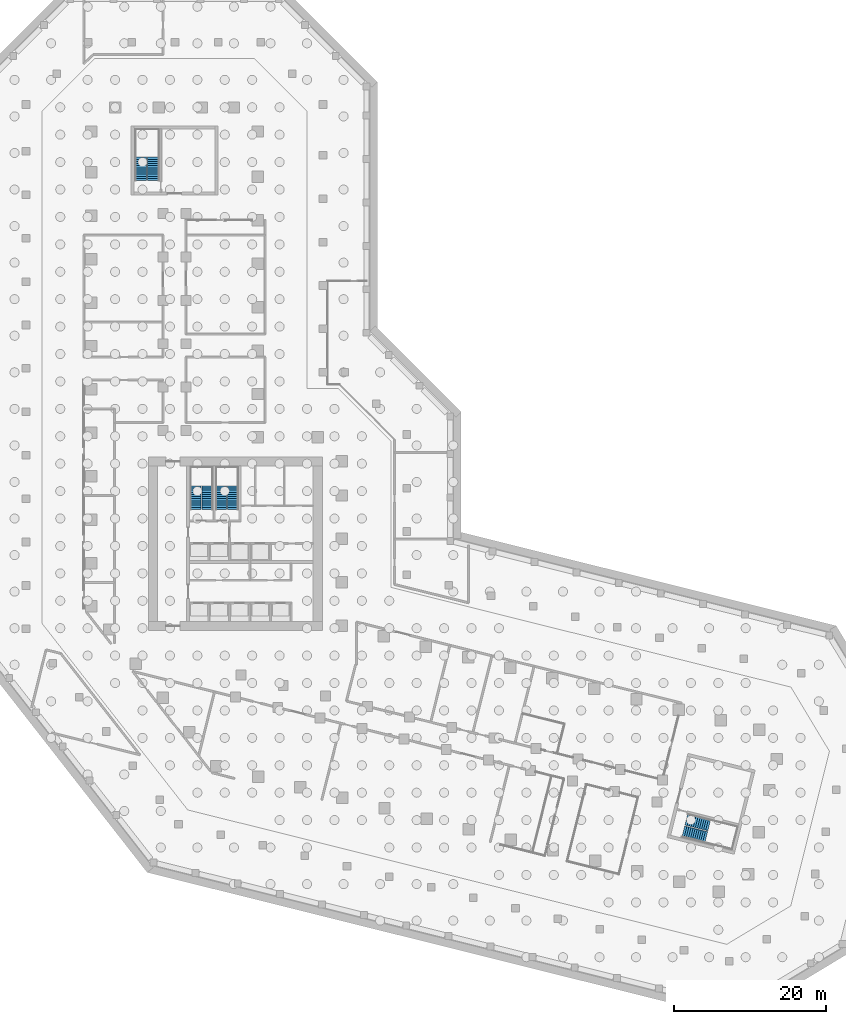
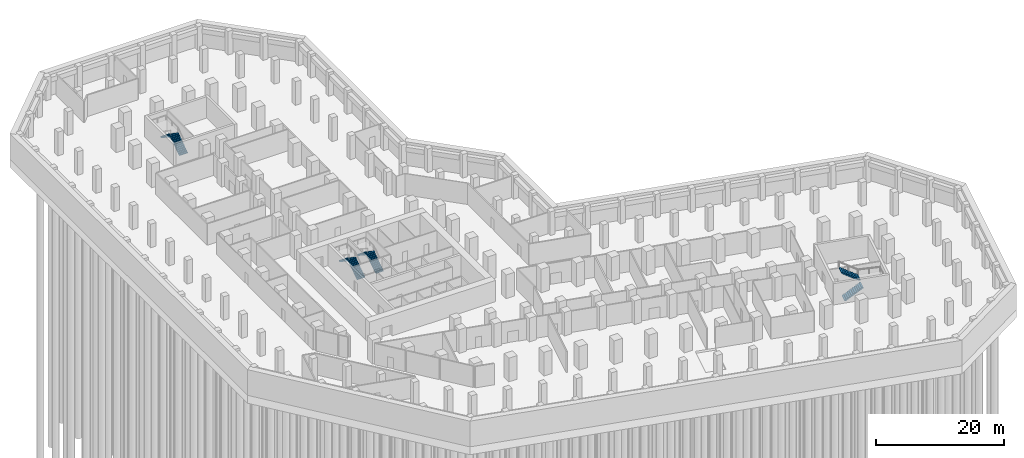
# One storey, part 13 of 15: 8 stair flights, 4 elements without a shape of their own.
"""IFC4 building model written with IfcOpenShell, lengths in metres."""

from ifc_helpers import new_model, si_unit, direction, frame, origin, place, context, subcontext, project, spatial, polyline, outline, extrude, material, type_object, element, aggregate, save


model = new_model("IFC4")

# Units and contexts
model_context = context("Model", 3, precision=1e-05, world=origin(), true_north=direction((0.0, 1.0)))
body_context = subcontext(model_context, "Body", "Model", "MODEL_VIEW")
ifc_project = project(units=[si_unit("LENGTHUNIT", "METRE"), si_unit("AREAUNIT", "SQUARE_METRE"), si_unit("VOLUMEUNIT", "CUBIC_METRE"), si_unit("PLANEANGLEUNIT", "RADIAN"), si_unit("MASSUNIT", "GRAM", prefix="KILO")], contexts=[model_context])

# Site, building, storey
site_placement = place(None, origin())
site = spatial("IfcSite", under=ifc_project, at=site_placement, CompositionType="ELEMENT")
building_placement = place(site_placement, origin())
building = spatial("IfcBuilding", under=site, at=building_placement, Name="Meshkara Civic Tower", CompositionType="ELEMENT")
storey_placement = place(building_placement, frame((0.0, 0.0, -9.0)))
storey = spatial("IfcBuildingStorey", under=building, at=storey_placement, Name="B2", CompositionType="ELEMENT", Elevation=-9.0)

# Stair, stair flights
ifc_material_1 = material(Name="Precast concrete C40/50", Category="concrete")
stair_type_1 = type_object("IfcStairType", Name="Exit stair half-turn 24 risers 1500 precast", PredefinedType="HALF_TURN_STAIR", material=ifc_material_1)
stair_1_placement = place(storey_placement, origin())
stair_1 = element("IfcStair", 1, at=stair_1_placement, inside=storey, type_object=stair_type_1, Name="B2 exit stair A from B2", PredefinedType="HALF_TURN_STAIR")
ifc_material_2 = material(Name="Precast concrete C40/50", Category="concrete")
stair_flight_type_1 = type_object("IfcStairFlightType", Name="Exit stair flight 12 risers 1500 precast", PredefinedType="STRAIGHT", material=ifc_material_2)
stair_flight_1_placement = place(storey_placement, frame((8.625, 73.169921875, 0.0), z_axis=(0.0, 0.0, 1.0), x_axis=(0.0, 1.0, 0.0)))
stair_flight_1 = element("IfcStairFlight", 2, at=stair_flight_1_placement, type_object=stair_flight_type_1, Name="ESA1 flight 1", NumberOfRisers=12, NumberOfTreads=11, PredefinedType="STRAIGHT", RiserHeight=0.1875, TreadLength=0.28, context=body_context, shape_type="SweptSolid", body=[
    extrude(outline(polyline([(0.0, 0.0), (0.0, 0.1875), (0.280029296875, 0.1875), (0.280029296875, 0.375), (0.56005859375, 0.375), (0.56005859375, 0.5625), (0.840087890625, 0.5625), (0.840087890625, 0.75), (1.1201171875, 0.75), (1.1201171875, 0.9375), (1.39990234375, 0.9375), (1.39990234375, 1.125), (1.679931640625, 1.125), (1.679931640625, 1.3125), (1.9599609375, 1.3125), (1.9599609375, 1.5), (2.239990234375, 1.5), (2.239990234375, 1.6875), (2.52001953125, 1.6875), (2.52001953125, 1.875), (2.800048828125, 1.875), (2.800048828125, 2.0625), (3.080078125, 2.0625), (3.080078125, 2.25), (3.080078125, 1.882080078125), (0.26953125, 0.0), (0.0, 0.0)])), frame((0.0, 0.75, 0.0), z_axis=(0.0, -1.0, 0.0), x_axis=(1.0, 0.0, 0.0)), (0.0, 0.0, 1.0), 1.5),
])
stair_flight_2_placement = place(storey_placement, frame((6.97509765625, 76.25, 2.25), z_axis=(0.0, 0.0, 1.0), x_axis=(0.0, -1.0, 0.0)))
stair_flight_2 = element("IfcStairFlight", 3, at=stair_flight_2_placement, type_object=stair_flight_type_1, Name="ESA1 flight 2", NumberOfRisers=12, NumberOfTreads=11, PredefinedType="STRAIGHT", RiserHeight=0.1875, TreadLength=0.28, context=body_context, shape_type="SweptSolid", body=[
    extrude(outline(polyline([(0.0, 0.0), (0.0, 0.1875), (0.280029296875, 0.1875), (0.280029296875, 0.375), (0.56005859375, 0.375), (0.56005859375, 0.5625), (0.840087890625, 0.5625), (0.840087890625, 0.75), (1.1201171875, 0.75), (1.1201171875, 0.9375), (1.39990234375, 0.9375), (1.39990234375, 1.125), (1.679931640625, 1.125), (1.679931640625, 1.3125), (1.9599609375, 1.3125), (1.9599609375, 1.5), (2.239990234375, 1.5), (2.239990234375, 1.6875), (2.52001953125, 1.6875), (2.52001953125, 1.875), (2.800048828125, 1.875), (2.800048828125, 2.0625), (3.080078125, 2.0625), (3.080078125, 2.25), (3.080078125, 1.882080078125), (0.26953125, 0.0), (0.0, 0.0)])), frame((0.0, 0.75, 0.0), z_axis=(0.0, -1.0, 0.0), x_axis=(1.0, 0.0, 0.0)), (0.0, 0.0, 1.0), 1.5),
])
aggregate(stair_1, [stair_flight_1, stair_flight_2])

stair_2_placement = place(storey_placement, origin())
stair_2 = element("IfcStair", 4, at=stair_2_placement, inside=storey, type_object=stair_type_1, Name="B2 exit stair B from B2", PredefinedType="HALF_TURN_STAIR")
stair_flight_3_placement = place(storey_placement, frame((78.214599609375, -12.3125, 0.0), z_axis=(0.0, 0.0, 1.0), x_axis=(0.970260066579, -0.242064873955, 0.0)))
stair_flight_3 = element("IfcStairFlight", 5, at=stair_flight_3_placement, type_object=stair_flight_type_1, Name="ESB1 flight 1", NumberOfRisers=12, NumberOfTreads=11, PredefinedType="STRAIGHT", RiserHeight=0.1875, TreadLength=0.28, context=body_context, shape_type="SweptSolid", body=[
    extrude(outline(polyline([(0.0, 0.0), (0.0, 0.1875), (0.280029296875, 0.1875), (0.280029296875, 0.375), (0.56005859375, 0.375), (0.56005859375, 0.5625), (0.840087890625, 0.5625), (0.840087890625, 0.75), (1.1201171875, 0.75), (1.1201171875, 0.9375), (1.39990234375, 0.9375), (1.39990234375, 1.125), (1.679931640625, 1.125), (1.679931640625, 1.3125), (1.9599609375, 1.3125), (1.9599609375, 1.5), (2.239990234375, 1.5), (2.239990234375, 1.6875), (2.52001953125, 1.6875), (2.52001953125, 1.875), (2.800048828125, 1.875), (2.800048828125, 2.0625), (3.080078125, 2.0625), (3.080078125, 2.25), (3.080078125, 1.882080078125), (0.26953125, 0.0), (0.0, 0.0)])), frame((0.0, 0.75, 0.0), z_axis=(0.0, -1.0, 0.0), x_axis=(1.0, 0.0, 0.0)), (0.0, 0.0, 1.0), 1.5),
])
stair_flight_4_placement = place(storey_placement, frame((81.6025390625, -11.457275390625, 2.25), z_axis=(0.0, 0.0, 1.0), x_axis=(-0.970260066579, 0.242064873955, 0.0)))
stair_flight_4 = element("IfcStairFlight", 6, at=stair_flight_4_placement, type_object=stair_flight_type_1, Name="ESB1 flight 2", NumberOfRisers=12, NumberOfTreads=11, PredefinedType="STRAIGHT", RiserHeight=0.1875, TreadLength=0.28, context=body_context, shape_type="SweptSolid", body=[
    extrude(outline(polyline([(0.0, 0.0), (0.0, 0.1875), (0.280029296875, 0.1875), (0.280029296875, 0.375), (0.56005859375, 0.375), (0.56005859375, 0.5625), (0.840087890625, 0.5625), (0.840087890625, 0.75), (1.1201171875, 0.75), (1.1201171875, 0.9375), (1.39990234375, 0.9375), (1.39990234375, 1.125), (1.679931640625, 1.125), (1.679931640625, 1.3125), (1.9599609375, 1.3125), (1.9599609375, 1.5), (2.239990234375, 1.5), (2.239990234375, 1.6875), (2.52001953125, 1.6875), (2.52001953125, 1.875), (2.800048828125, 1.875), (2.800048828125, 2.0625), (3.080078125, 2.0625), (3.080078125, 2.25), (3.080078125, 1.882080078125), (0.26953125, 0.0), (0.0, 0.0)])), frame((0.0, 0.75, 0.0), z_axis=(0.0, -1.0, 0.0), x_axis=(1.0, 0.0, 0.0)), (0.0, 0.0, 1.0), 1.5),
])
aggregate(stair_2, [stair_flight_3, stair_flight_4])

ifc_material_3 = material(Name="Precast concrete C40/50", Category="concrete")
stair_type_2 = type_object("IfcStairType", Name="Exit stair half-turn 24 risers precast", PredefinedType="HALF_TURN_STAIR", material=ifc_material_3)
stair_3_placement = place(storey_placement, origin())
stair_3 = element("IfcStair", 7, at=stair_3_placement, inside=storey, type_object=stair_type_2, Name="B2 exit stair 1", PredefinedType="HALF_TURN_STAIR")
ifc_material_4 = material(Name="Precast concrete C40/50", Category="concrete")
stair_flight_type_2 = type_object("IfcStairFlightType", Name="Exit stair flight 12 risers precast", PredefinedType="STRAIGHT", material=ifc_material_4)
stair_flight_5_placement = place(storey_placement, frame((15.72509765625, 30.0, 0.0), z_axis=(0.0, 0.0, 1.0), x_axis=(0.0, 1.0, 0.0)))
stair_flight_5 = element("IfcStairFlight", 8, at=stair_flight_5_placement, type_object=stair_flight_type_2, Name="ST1 flight 1", NumberOfRisers=12, NumberOfTreads=11, PredefinedType="STRAIGHT", RiserHeight=0.1875, TreadLength=0.28, context=body_context, shape_type="SweptSolid", body=[
    extrude(outline(polyline([(0.0, 0.0), (0.0, 0.1875), (0.280029296875, 0.1875), (0.280029296875, 0.375), (0.56005859375, 0.375), (0.56005859375, 0.5625), (0.840087890625, 0.5625), (0.840087890625, 0.75), (1.1201171875, 0.75), (1.1201171875, 0.9375), (1.39990234375, 0.9375), (1.39990234375, 1.125), (1.679931640625, 1.125), (1.679931640625, 1.3125), (1.9599609375, 1.3125), (1.9599609375, 1.5), (2.239990234375, 1.5), (2.239990234375, 1.6875), (2.52001953125, 1.6875), (2.52001953125, 1.875), (2.800048828125, 1.875), (2.800048828125, 2.0625), (3.080078125, 2.0625), (3.080078125, 2.25), (3.080078125, 1.882080078125), (0.26953125, 0.0), (0.0, 0.0)])), frame((0.0, 0.699951171875, 0.0), z_axis=(0.0, -1.0, 0.0), x_axis=(1.0, 0.0, 0.0)), (0.0, 0.0, 1.0), 1.39990234375),
])
stair_flight_6_placement = place(storey_placement, frame((14.175048828125, 33.080078125, 2.25), z_axis=(0.0, 0.0, 1.0), x_axis=(0.0, -1.0, 0.0)))
stair_flight_6 = element("IfcStairFlight", 9, at=stair_flight_6_placement, type_object=stair_flight_type_2, Name="ST1 flight 2", NumberOfRisers=12, NumberOfTreads=11, PredefinedType="STRAIGHT", RiserHeight=0.1875, TreadLength=0.28, context=body_context, shape_type="SweptSolid", body=[
    extrude(outline(polyline([(0.0, 0.0), (0.0, 0.1875), (0.280029296875, 0.1875), (0.280029296875, 0.375), (0.56005859375, 0.375), (0.56005859375, 0.5625), (0.840087890625, 0.5625), (0.840087890625, 0.75), (1.1201171875, 0.75), (1.1201171875, 0.9375), (1.39990234375, 0.9375), (1.39990234375, 1.125), (1.679931640625, 1.125), (1.679931640625, 1.3125), (1.9599609375, 1.3125), (1.9599609375, 1.5), (2.239990234375, 1.5), (2.239990234375, 1.6875), (2.52001953125, 1.6875), (2.52001953125, 1.875), (2.800048828125, 1.875), (2.800048828125, 2.0625), (3.080078125, 2.0625), (3.080078125, 2.25), (3.080078125, 1.882080078125), (0.26953125, 0.0), (0.0, 0.0)])), frame((0.0, 0.699951171875, 0.0), z_axis=(0.0, -1.0, 0.0), x_axis=(1.0, 0.0, 0.0)), (0.0, 0.0, 1.0), 1.39990234375),
])
aggregate(stair_3, [stair_flight_5, stair_flight_6])

stair_4_placement = place(storey_placement, origin())
stair_4 = element("IfcStair", 10, at=stair_4_placement, inside=storey, type_object=stair_type_2, Name="B2 exit stair 2", PredefinedType="HALF_TURN_STAIR")
stair_flight_7_placement = place(storey_placement, frame((19.074951171875, 30.0, 0.0), z_axis=(0.0, 0.0, 1.0), x_axis=(0.0, 1.0, 0.0)))
stair_flight_7 = element("IfcStairFlight", 11, at=stair_flight_7_placement, type_object=stair_flight_type_2, Name="ST2 flight 1", NumberOfRisers=12, NumberOfTreads=11, PredefinedType="STRAIGHT", RiserHeight=0.1875, TreadLength=0.28, context=body_context, shape_type="SweptSolid", body=[
    extrude(outline(polyline([(0.0, 0.0), (0.0, 0.1875), (0.280029296875, 0.1875), (0.280029296875, 0.375), (0.56005859375, 0.375), (0.56005859375, 0.5625), (0.840087890625, 0.5625), (0.840087890625, 0.75), (1.1201171875, 0.75), (1.1201171875, 0.9375), (1.39990234375, 0.9375), (1.39990234375, 1.125), (1.679931640625, 1.125), (1.679931640625, 1.3125), (1.9599609375, 1.3125), (1.9599609375, 1.5), (2.239990234375, 1.5), (2.239990234375, 1.6875), (2.52001953125, 1.6875), (2.52001953125, 1.875), (2.800048828125, 1.875), (2.800048828125, 2.0625), (3.080078125, 2.0625), (3.080078125, 2.25), (3.080078125, 1.882080078125), (0.26953125, 0.0), (0.0, 0.0)])), frame((0.0, 0.699951171875, 0.0), z_axis=(0.0, -1.0, 0.0), x_axis=(1.0, 0.0, 0.0)), (0.0, 0.0, 1.0), 1.39990234375),
])
stair_flight_8_placement = place(storey_placement, frame((17.52490234375, 33.080078125, 2.25), z_axis=(0.0, 0.0, 1.0), x_axis=(0.0, -1.0, 0.0)))
stair_flight_8 = element("IfcStairFlight", 12, at=stair_flight_8_placement, type_object=stair_flight_type_2, Name="ST2 flight 2", NumberOfRisers=12, NumberOfTreads=11, PredefinedType="STRAIGHT", RiserHeight=0.1875, TreadLength=0.28, context=body_context, shape_type="SweptSolid", body=[
    extrude(outline(polyline([(0.0, 0.0), (0.0, 0.1875), (0.280029296875, 0.1875), (0.280029296875, 0.375), (0.56005859375, 0.375), (0.56005859375, 0.5625), (0.840087890625, 0.5625), (0.840087890625, 0.75), (1.1201171875, 0.75), (1.1201171875, 0.9375), (1.39990234375, 0.9375), (1.39990234375, 1.125), (1.679931640625, 1.125), (1.679931640625, 1.3125), (1.9599609375, 1.3125), (1.9599609375, 1.5), (2.239990234375, 1.5), (2.239990234375, 1.6875), (2.52001953125, 1.6875), (2.52001953125, 1.875), (2.800048828125, 1.875), (2.800048828125, 2.0625), (3.080078125, 2.0625), (3.080078125, 2.25), (3.080078125, 1.882080078125), (0.26953125, 0.0), (0.0, 0.0)])), frame((0.0, 0.699951171875, 0.0), z_axis=(0.0, -1.0, 0.0), x_axis=(1.0, 0.0, 0.0)), (0.0, 0.0, 1.0), 1.39990234375),
])
aggregate(stair_4, [stair_flight_7, stair_flight_8])

save(model, "model.ifc")
